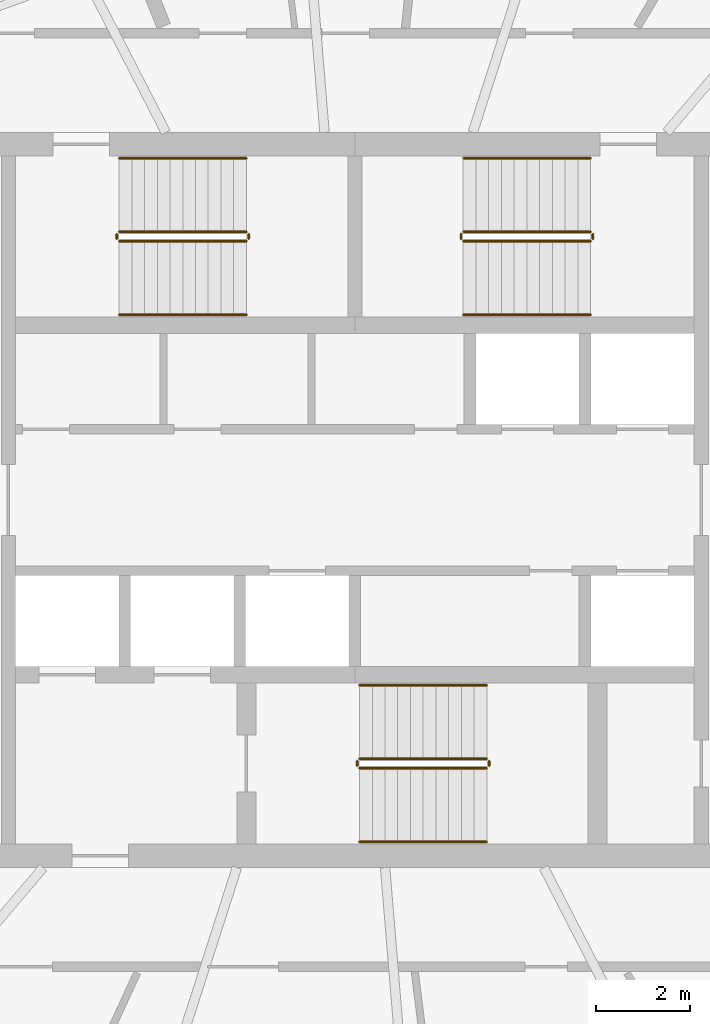
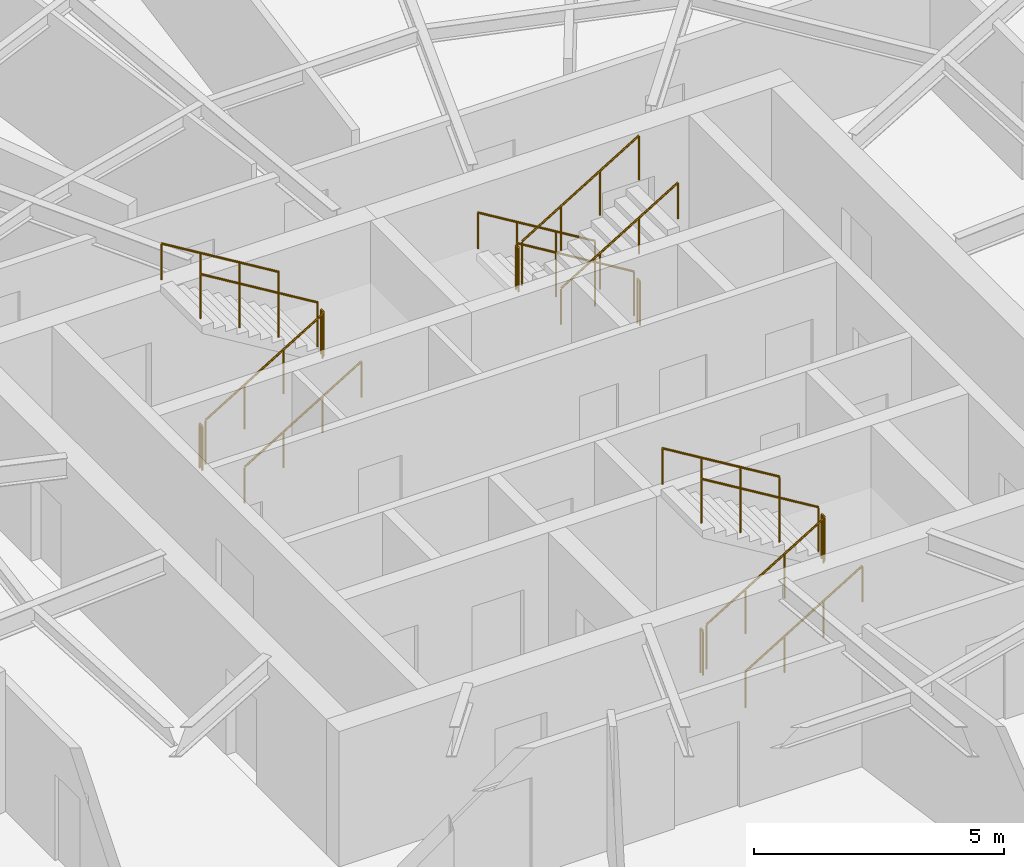
# One storey, part 12 of 13: 18 railings.
"""IFC4 building model written with IfcOpenShell, lengths in metres."""

from ifc_helpers import new_model, si_unit, direction, frame, origin, origin_2d, place, context, subcontext, project, spatial, circle, extrude, material, type_object, element, save


model = new_model("IFC4")

# Units and contexts
model_context = context("Model", 3, precision=1e-05, world=origin(), true_north=direction((0.0, 1.0)))
body_context = subcontext(model_context, "Body", "Model", "MODEL_VIEW")
ifc_project = project(units=[si_unit("LENGTHUNIT", "METRE"), si_unit("AREAUNIT", "SQUARE_METRE"), si_unit("VOLUMEUNIT", "CUBIC_METRE"), si_unit("PLANEANGLEUNIT", "RADIAN"), si_unit("MASSUNIT", "GRAM", prefix="KILO")], contexts=[model_context])

# Site, building, storey
site_placement = place(None, origin())
site = spatial("IfcSite", under=ifc_project, at=site_placement, CompositionType="ELEMENT")
building_placement = place(site_placement, origin())
building = spatial("IfcBuilding", under=site, at=building_placement, Name="Vermilion Reach Broadcast Tower", CompositionType="ELEMENT")
storey_placement = place(building_placement, frame((0.0, 0.0, 293.699951171875)))
storey = spatial("IfcBuildingStorey", under=building, at=storey_placement, Name="L73", CompositionType="ELEMENT", Elevation=293.699951171875)

# Railings
ifc_material_1 = material(Name="Stainless steel", Category="steel")
railing_type_1 = type_object("IfcRailingType", Name="Stair guard 1100", PredefinedType="GUARDRAIL", material=ifc_material_1)
railing_1_placement = place(storey_placement, frame((-11.0, 5.489990234375, 0.16357421875)))
element("IfcRailing", 1, at=railing_1_placement, inside=storey, type_object=railing_type_1, Name="L73 ST1 stair guard 1", PredefinedType="GUARDRAIL", context=body_context, shape_type="SweptSolid", body=[
    extrude(circle(Radius=0.02392578125, at=origin_2d()), frame((0.0, 0.0, 1.076171875), z_axis=(0.855178096276, 0.0, 0.518334277904), x_axis=(0.0, 1.0, 0.0)), (0.0, 0.0, 1.0), 3.1572265625),
    extrude(circle(Radius=0.02099609375, at=origin_2d()), origin(), (0.0, 0.0, 1.0), 1.052001953125),
    extrude(circle(Radius=0.02099609375, at=origin_2d()), frame((0.89990234375, 0.0, 0.54541015625)), (0.0, 0.0, 1.0), 1.052001953125),
    extrude(circle(Radius=0.02099609375, at=origin_2d()), frame((1.800048828125, 0.0, 1.091064453125)), (0.0, 0.0, 1.0), 1.052001953125),
    extrude(circle(Radius=0.02099609375, at=origin_2d()), frame((2.699951171875, 0.0, 1.636474609375)), (0.0, 0.0, 1.0), 1.052001953125),
])
railing_2_placement = place(storey_placement, frame((-8.25, 5.5400390625, 1.800048828125)))
element("IfcRailing", 2, at=railing_2_placement, inside=storey, type_object=railing_type_1, Name="L73 ST1 stair guard 2", PredefinedType="GUARDRAIL", context=body_context, shape_type="SweptSolid", body=[
    extrude(circle(Radius=0.02392578125, at=origin_2d()), frame((0.0, 0.0, 1.076171875), z_axis=(0.0, 1.0, 0.0), x_axis=(-1.0, 0.0, 0.0)), (0.0, 0.0, 1.0), 0.099853515625),
    extrude(circle(Radius=0.02099609375, at=origin_2d()), origin(), (0.0, 0.0, 1.0), 1.052001953125),
    extrude(circle(Radius=0.02099609375, at=origin_2d()), frame((0.0, 0.099853515625, 0.0)), (0.0, 0.0, 1.0), 1.052001953125),
])
railing_3_placement = place(storey_placement, frame((-8.300048828125, 5.68994140625, 1.963623046875)))
element("IfcRailing", 3, at=railing_3_placement, inside=storey, type_object=railing_type_1, Name="L73 ST1 stair guard 3", PredefinedType="GUARDRAIL", context=body_context, shape_type="SweptSolid", body=[
    extrude(circle(Radius=0.02392578125, at=origin_2d()), frame((0.0, 0.0, 1.076171875), z_axis=(-0.855178096276, 0.0, 0.518334277904), x_axis=(0.0, -1.0, 0.0)), (0.0, 0.0, 1.0), 3.1572265625),
    extrude(circle(Radius=0.02099609375, at=origin_2d()), origin(), (0.0, 0.0, 1.0), 1.052001953125),
    extrude(circle(Radius=0.02099609375, at=origin_2d()), frame((-0.89990234375, 0.0, 0.54541015625)), (0.0, 0.0, 1.0), 1.052001953125),
    extrude(circle(Radius=0.02099609375, at=origin_2d()), frame((-1.800048828125, 0.0, 1.091064453125)), (0.0, 0.0, 1.0), 1.052001953125),
    extrude(circle(Radius=0.02099609375, at=origin_2d()), frame((-2.699951171875, 0.0, 1.636474609375)), (0.0, 0.0, 1.0), 1.052001953125),
])
railing_4_placement = place(storey_placement, frame((-11.050048828125, 5.5400390625, 0.0)))
element("IfcRailing", 4, at=railing_4_placement, inside=storey, type_object=railing_type_1, Name="L73 ST1 stair guard 4", PredefinedType="GUARDRAIL", context=body_context, shape_type="SweptSolid", body=[
    extrude(circle(Radius=0.02392578125, at=origin_2d()), frame((0.0, 0.0, 1.076171875), z_axis=(0.0, 1.0, 0.0), x_axis=(-1.0, 0.0, 0.0)), (0.0, 0.0, 1.0), 0.099853515625),
    extrude(circle(Radius=0.02099609375, at=origin_2d()), origin(), (0.0, 0.0, 1.0), 1.052001953125),
    extrude(circle(Radius=0.02099609375, at=origin_2d()), frame((0.0, 0.099853515625, 0.0)), (0.0, 0.0, 1.0), 1.052001953125),
])
railing_5_placement = place(storey_placement, frame((-1.0, 5.68994140625, 0.16357421875)))
element("IfcRailing", 5, at=railing_5_placement, inside=storey, type_object=railing_type_1, Name="L73 ST2 stair guard 1", PredefinedType="GUARDRAIL", context=body_context, shape_type="SweptSolid", body=[
    extrude(circle(Radius=0.02392578125, at=origin_2d()), frame((0.0, 0.0, 1.076171875), z_axis=(-0.855178096276, 0.0, 0.518334277904), x_axis=(0.0, -1.0, 0.0)), (0.0, 0.0, 1.0), 3.1572265625),
    extrude(circle(Radius=0.02099609375, at=origin_2d()), origin(), (0.0, 0.0, 1.0), 1.052001953125),
    extrude(circle(Radius=0.02099609375, at=origin_2d()), frame((-0.89990234375, 0.0, 0.54541015625)), (0.0, 0.0, 1.0), 1.052001953125),
    extrude(circle(Radius=0.02099609375, at=origin_2d()), frame((-1.800048828125, 0.0, 1.091064453125)), (0.0, 0.0, 1.0), 1.052001953125),
    extrude(circle(Radius=0.02099609375, at=origin_2d()), frame((-2.699951171875, 0.0, 1.636474609375)), (0.0, 0.0, 1.0), 1.052001953125),
])
railing_6_placement = place(storey_placement, frame((-3.75, 5.639892578125, 1.800048828125)))
element("IfcRailing", 6, at=railing_6_placement, inside=storey, type_object=railing_type_1, Name="L73 ST2 stair guard 2", PredefinedType="GUARDRAIL", context=body_context, shape_type="SweptSolid", body=[
    extrude(circle(Radius=0.02392578125, at=origin_2d()), frame((0.0, 0.0, 1.076171875), z_axis=(0.0, -1.0, 0.0), x_axis=(1.0, 0.0, 0.0)), (0.0, 0.0, 1.0), 0.099853515625),
    extrude(circle(Radius=0.02099609375, at=origin_2d()), origin(), (0.0, 0.0, 1.0), 1.052001953125),
    extrude(circle(Radius=0.02099609375, at=origin_2d()), frame((0.0, -0.099853515625, 0.0)), (0.0, 0.0, 1.0), 1.052001953125),
])
railing_7_placement = place(storey_placement, frame((-3.699951171875, 5.489990234375, 1.963623046875)))
element("IfcRailing", 7, at=railing_7_placement, inside=storey, type_object=railing_type_1, Name="L73 ST2 stair guard 3", PredefinedType="GUARDRAIL", context=body_context, shape_type="SweptSolid", body=[
    extrude(circle(Radius=0.02392578125, at=origin_2d()), frame((0.0, 0.0, 1.076171875), z_axis=(0.855178096276, 0.0, 0.518334277904), x_axis=(0.0, 1.0, 0.0)), (0.0, 0.0, 1.0), 3.1572265625),
    extrude(circle(Radius=0.02099609375, at=origin_2d()), origin(), (0.0, 0.0, 1.0), 1.052001953125),
    extrude(circle(Radius=0.02099609375, at=origin_2d()), frame((0.89990234375, 0.0, 0.54541015625)), (0.0, 0.0, 1.0), 1.052001953125),
    extrude(circle(Radius=0.02099609375, at=origin_2d()), frame((1.800048828125, 0.0, 1.091064453125)), (0.0, 0.0, 1.0), 1.052001953125),
    extrude(circle(Radius=0.02099609375, at=origin_2d()), frame((2.699951171875, 0.0, 1.636474609375)), (0.0, 0.0, 1.0), 1.052001953125),
])
railing_8_placement = place(storey_placement, frame((-0.949951171875, 5.639892578125, 0.0)))
element("IfcRailing", 8, at=railing_8_placement, inside=storey, type_object=railing_type_1, Name="L73 ST2 stair guard 4", PredefinedType="GUARDRAIL", context=body_context, shape_type="SweptSolid", body=[
    extrude(circle(Radius=0.02392578125, at=origin_2d()), frame((0.0, 0.0, 1.076171875), z_axis=(0.0, -1.0, 0.0), x_axis=(1.0, 0.0, 0.0)), (0.0, 0.0, 1.0), 0.099853515625),
    extrude(circle(Radius=0.02099609375, at=origin_2d()), origin(), (0.0, 0.0, 1.0), 1.052001953125),
    extrude(circle(Radius=0.02099609375, at=origin_2d()), frame((0.0, -0.099853515625, 0.0)), (0.0, 0.0, 1.0), 1.052001953125),
])
railing_9_placement = place(storey_placement, frame((-5.89990234375, -5.68994140625, 0.16357421875)))
element("IfcRailing", 9, at=railing_9_placement, inside=storey, type_object=railing_type_1, Name="L73 ST3 stair guard 1", PredefinedType="GUARDRAIL", context=body_context, shape_type="SweptSolid", body=[
    extrude(circle(Radius=0.02392578125, at=origin_2d()), frame((0.0, 0.0, 1.076171875), z_axis=(0.855178096276, 0.0, 0.518334277904), x_axis=(0.0, 1.0, 0.0)), (0.0, 0.0, 1.0), 3.1572265625),
    extrude(circle(Radius=0.02099609375, at=origin_2d()), origin(), (0.0, 0.0, 1.0), 1.052001953125),
    extrude(circle(Radius=0.02099609375, at=origin_2d()), frame((0.89990234375, 0.0, 0.54541015625)), (0.0, 0.0, 1.0), 1.052001953125),
    extrude(circle(Radius=0.02099609375, at=origin_2d()), frame((1.800048828125, 0.0, 1.091064453125)), (0.0, 0.0, 1.0), 1.052001953125),
    extrude(circle(Radius=0.02099609375, at=origin_2d()), frame((2.699951171875, 0.0, 1.636474609375)), (0.0, 0.0, 1.0), 1.052001953125),
])
railing_10_placement = place(storey_placement, frame((-3.14990234375, -5.639892578125, 1.800048828125)))
element("IfcRailing", 10, at=railing_10_placement, inside=storey, type_object=railing_type_1, Name="L73 ST3 stair guard 2", PredefinedType="GUARDRAIL", context=body_context, shape_type="SweptSolid", body=[
    extrude(circle(Radius=0.02392578125, at=origin_2d()), frame((0.0, 0.0, 1.076171875), z_axis=(0.0, 1.0, 0.0), x_axis=(-1.0, 0.0, 0.0)), (0.0, 0.0, 1.0), 0.099853515625),
    extrude(circle(Radius=0.02099609375, at=origin_2d()), origin(), (0.0, 0.0, 1.0), 1.052001953125),
    extrude(circle(Radius=0.02099609375, at=origin_2d()), frame((0.0, 0.099853515625, 0.0)), (0.0, 0.0, 1.0), 1.052001953125),
])
railing_11_placement = place(storey_placement, frame((-3.199951171875, -5.489990234375, 1.963623046875)))
element("IfcRailing", 11, at=railing_11_placement, inside=storey, type_object=railing_type_1, Name="L73 ST3 stair guard 3", PredefinedType="GUARDRAIL", context=body_context, shape_type="SweptSolid", body=[
    extrude(circle(Radius=0.02392578125, at=origin_2d()), frame((0.0, 0.0, 1.076171875), z_axis=(-0.855178096276, 0.0, 0.518334277904), x_axis=(0.0, -1.0, 0.0)), (0.0, 0.0, 1.0), 3.1572265625),
    extrude(circle(Radius=0.02099609375, at=origin_2d()), origin(), (0.0, 0.0, 1.0), 1.052001953125),
    extrude(circle(Radius=0.02099609375, at=origin_2d()), frame((-0.89990234375, 0.0, 0.54541015625)), (0.0, 0.0, 1.0), 1.052001953125),
    extrude(circle(Radius=0.02099609375, at=origin_2d()), frame((-1.800048828125, 0.0, 1.091064453125)), (0.0, 0.0, 1.0), 1.052001953125),
    extrude(circle(Radius=0.02099609375, at=origin_2d()), frame((-2.699951171875, 0.0, 1.636474609375)), (0.0, 0.0, 1.0), 1.052001953125),
])
railing_12_placement = place(storey_placement, frame((-5.949951171875, -5.639892578125, 0.0)))
element("IfcRailing", 12, at=railing_12_placement, inside=storey, type_object=railing_type_1, Name="L73 ST3 stair guard 4", PredefinedType="GUARDRAIL", context=body_context, shape_type="SweptSolid", body=[
    extrude(circle(Radius=0.02392578125, at=origin_2d()), frame((0.0, 0.0, 1.076171875), z_axis=(0.0, 1.0, 0.0), x_axis=(-1.0, 0.0, 0.0)), (0.0, 0.0, 1.0), 0.099853515625),
    extrude(circle(Radius=0.02099609375, at=origin_2d()), origin(), (0.0, 0.0, 1.0), 1.052001953125),
    extrude(circle(Radius=0.02099609375, at=origin_2d()), frame((0.0, 0.099853515625, 0.0)), (0.0, 0.0, 1.0), 1.052001953125),
])
ifc_material_2 = material(Name="Stainless steel", Category="steel")
railing_type_2 = type_object("IfcRailingType", Name="Stair handrail", PredefinedType="HANDRAIL", material=ifc_material_2)
railing_13_placement = place(storey_placement, frame((-11.0, 3.929931640625, 0.16357421875)))
element("IfcRailing", 13, at=railing_13_placement, inside=storey, type_object=railing_type_2, Name="L73 ST1 stair handrail 1", PredefinedType="HANDRAIL", context=body_context, shape_type="SweptSolid", body=[
    extrude(circle(Radius=0.02392578125, at=origin_2d()), frame((0.0, 0.0, 0.8759765625), z_axis=(0.855178096276, 0.0, 0.518334277904), x_axis=(0.0, 1.0, 0.0)), (0.0, 0.0, 1.0), 3.1572265625),
    extrude(circle(Radius=0.02099609375, at=origin_2d()), origin(), (0.0, 0.0, 1.0), 0.851806640625),
    extrude(circle(Radius=0.02099609375, at=origin_2d()), frame((0.89990234375, 0.0, 0.54541015625)), (0.0, 0.0, 1.0), 0.851806640625),
    extrude(circle(Radius=0.02099609375, at=origin_2d()), frame((1.800048828125, 0.0, 1.091064453125)), (0.0, 0.0, 1.0), 0.851806640625),
    extrude(circle(Radius=0.02099609375, at=origin_2d()), frame((2.699951171875, 0.0, 1.636474609375)), (0.0, 0.0, 1.0), 0.851806640625),
])
for number, where, name in (
    (14, (-8.300048828125, 7.25, 1.963623046875), "L73 ST1 stair handrail 2"),
    (15, (-1.0, 7.25, 0.16357421875), "L73 ST2 stair handrail 1"),
):
    element("IfcRailing", number, at=place(storey_placement, frame(where)), inside=storey, type_object=railing_type_2, Name=name, PredefinedType="HANDRAIL", context=body_context, shape_type="SweptSolid", body=[
        extrude(circle(Radius=0.02392578125, at=origin_2d()), frame((0.0, 0.0, 0.8759765625), z_axis=(-0.855178096276, 0.0, 0.518334277904), x_axis=(0.0, -1.0, 0.0)), (0.0, 0.0, 1.0), 3.1572265625),
        extrude(circle(Radius=0.02099609375, at=origin_2d()), origin(), (0.0, 0.0, 1.0), 0.851806640625),
        extrude(circle(Radius=0.02099609375, at=origin_2d()), frame((-0.89990234375, 0.0, 0.54541015625)), (0.0, 0.0, 1.0), 0.851806640625),
        extrude(circle(Radius=0.02099609375, at=origin_2d()), frame((-1.800048828125, 0.0, 1.091064453125)), (0.0, 0.0, 1.0), 0.851806640625),
        extrude(circle(Radius=0.02099609375, at=origin_2d()), frame((-2.699951171875, 0.0, 1.636474609375)), (0.0, 0.0, 1.0), 0.851806640625),
    ])
for number, where, name in (
    (16, (-3.699951171875, 3.929931640625, 1.963623046875), "L73 ST2 stair handrail 2"),
    (17, (-5.89990234375, -7.25, 0.16357421875), "L73 ST3 stair handrail 1"),
):
    element("IfcRailing", number, at=place(storey_placement, frame(where)), inside=storey, type_object=railing_type_2, Name=name, PredefinedType="HANDRAIL", context=body_context, shape_type="SweptSolid", body=[
        extrude(circle(Radius=0.02392578125, at=origin_2d()), frame((0.0, 0.0, 0.8759765625), z_axis=(0.855178096276, 0.0, 0.518334277904), x_axis=(0.0, 1.0, 0.0)), (0.0, 0.0, 1.0), 3.1572265625),
        extrude(circle(Radius=0.02099609375, at=origin_2d()), origin(), (0.0, 0.0, 1.0), 0.851806640625),
        extrude(circle(Radius=0.02099609375, at=origin_2d()), frame((0.89990234375, 0.0, 0.54541015625)), (0.0, 0.0, 1.0), 0.851806640625),
        extrude(circle(Radius=0.02099609375, at=origin_2d()), frame((1.800048828125, 0.0, 1.091064453125)), (0.0, 0.0, 1.0), 0.851806640625),
        extrude(circle(Radius=0.02099609375, at=origin_2d()), frame((2.699951171875, 0.0, 1.636474609375)), (0.0, 0.0, 1.0), 0.851806640625),
    ])
railing_14_placement = place(storey_placement, frame((-3.199951171875, -3.929931640625, 1.963623046875)))
element("IfcRailing", 18, at=railing_14_placement, inside=storey, type_object=railing_type_2, Name="L73 ST3 stair handrail 2", PredefinedType="HANDRAIL", context=body_context, shape_type="SweptSolid", body=[
    extrude(circle(Radius=0.02392578125, at=origin_2d()), frame((0.0, 0.0, 0.8759765625), z_axis=(-0.855178096276, 0.0, 0.518334277904), x_axis=(0.0, -1.0, 0.0)), (0.0, 0.0, 1.0), 3.1572265625),
    extrude(circle(Radius=0.02099609375, at=origin_2d()), origin(), (0.0, 0.0, 1.0), 0.851806640625),
    extrude(circle(Radius=0.02099609375, at=origin_2d()), frame((-0.89990234375, 0.0, 0.54541015625)), (0.0, 0.0, 1.0), 0.851806640625),
    extrude(circle(Radius=0.02099609375, at=origin_2d()), frame((-1.800048828125, 0.0, 1.091064453125)), (0.0, 0.0, 1.0), 0.851806640625),
    extrude(circle(Radius=0.02099609375, at=origin_2d()), frame((-2.699951171875, 0.0, 1.636474609375)), (0.0, 0.0, 1.0), 0.851806640625),
])

save(model, "model.ifc")
